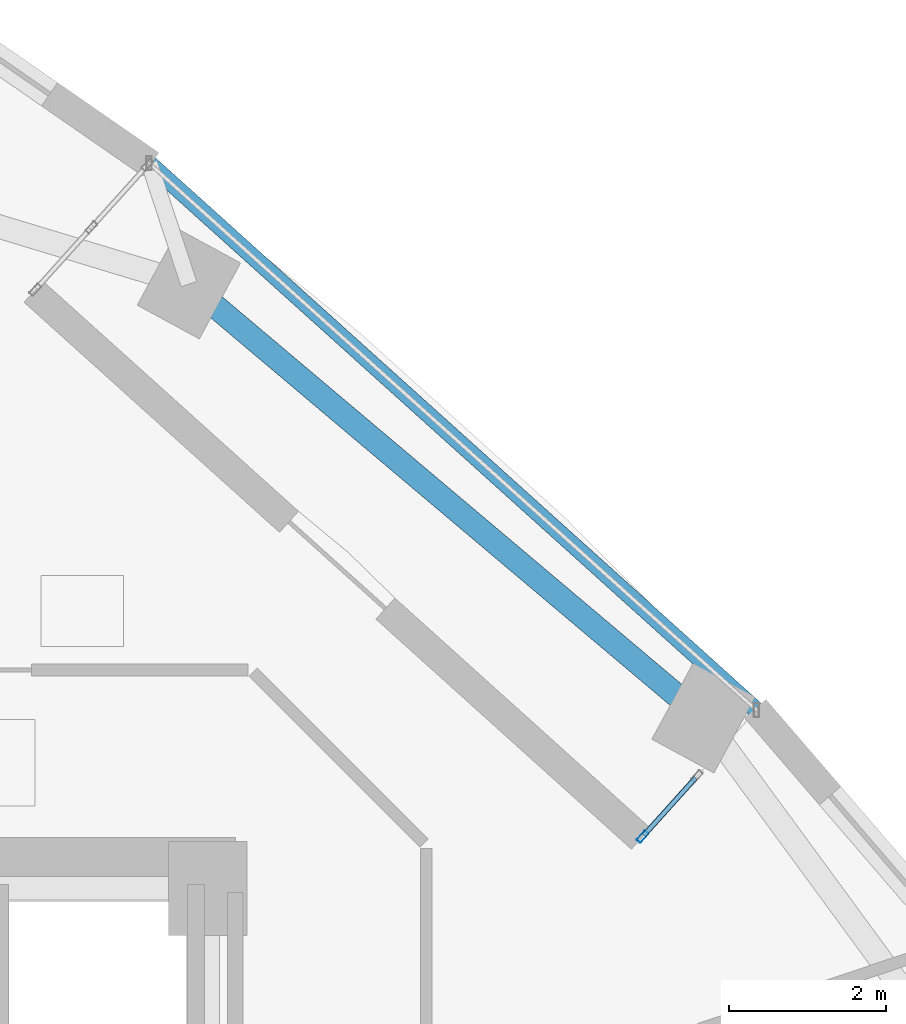
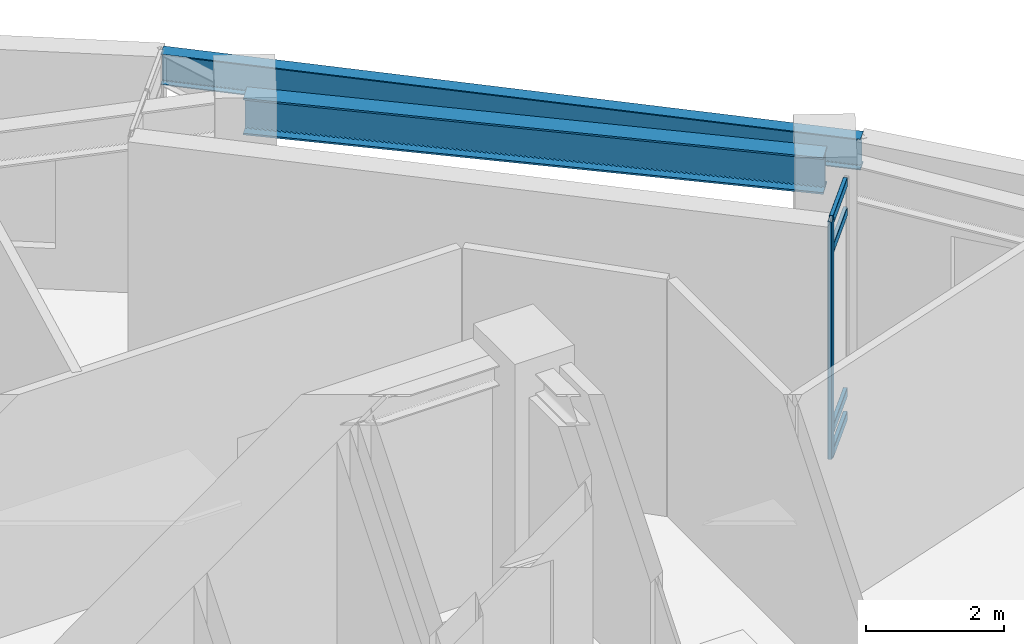
# One storey, part 6 of 19: 5 members, 2 beams, 1 element without a shape of its own.
"""IFC4 building model written with IfcOpenShell, lengths in metres."""

import ifcopenshell
import ifcopenshell.guid

model = None  # the IFC model being written
_history = None  # IfcOwnerHistory: only IFC2X3 demands one
_inside = {}  # id of a spatial element -> (the spatial element, [elements in it])
_under = {}  # id of a project, library or spatial element -> (it, [spatial elements below it])
_declared = {}  # id of a project -> (the project, [libraries it declares])
_typed = {}  # id of a type object -> (the type object, [elements of that type])
_made_of = {}  # id of a material, layer set ... -> (it, [elements and type objects made of it])


def new_model(schema):
    """Start an empty IFC model of exactly this schema.

    Asked for "IFC4X3", IfcOpenShell would pick the latest addendum, in which some entities
    have other attributes; the version numbers below select the first issue.
    IFC2X3 requires an IfcOwnerHistory on every rooted entity: one is made here for all.
    """
    global model, _history
    if schema == "IFC4X3":
        model = ifcopenshell.file(schema_version=(4, 3, 0, 0))
    else:
        model = ifcopenshell.file(schema=schema)
    _inside.clear()
    _under.clear()
    _declared.clear()
    _typed.clear()
    _made_of.clear()
    _history = None
    if model.schema == "IFC2X3":
        org = make("IfcOrganization", Name="unknown")
        user = make(
            "IfcPersonAndOrganization",
            ThePerson=make("IfcPerson", FamilyName="unknown"),
            TheOrganization=org,
        )
        app = make(
            "IfcApplication",
            ApplicationDeveloper=org,
            Version="unknown",
            ApplicationFullName="unknown",
            ApplicationIdentifier="unknown",
        )
        _history = make(
            "IfcOwnerHistory",
            OwningUser=user,
            OwningApplication=app,
            ChangeAction="ADDED",
            CreationDate=0,
        )
    return model


def make(cls, **values):
    """One entity of the class cls with the attributes given. An attribute that is None is left unset."""
    return model.create_entity(
        cls, **{name: value for name, value in values.items() if value is not None}
    )


def rooted(cls, **values):
    """An entity with a GlobalId (a new one), such as an element, a storey or a relation."""
    return make(cls, GlobalId=ifcopenshell.guid.new(), OwnerHistory=_history, **values)


def si_unit(unit_type, name, prefix=None):
    """IfcSIUnit, for example si_unit("LENGTHUNIT", "METRE", prefix="MILLI")."""
    return make("IfcSIUnit", UnitType=unit_type, Prefix=prefix, Name=name)


def assignment(units):
    """IfcUnitAssignment: the units of a project."""
    return None if units is None else make("IfcUnitAssignment", Units=units)


def point(xyz):
    """IfcCartesianPoint."""
    return None if xyz is None else make("IfcCartesianPoint", Coordinates=xyz)


def direction(xyz):
    """IfcDirection."""
    return None if xyz is None else make("IfcDirection", DirectionRatios=xyz)


def frame(location, z_axis=None, x_axis=None):
    """IfcAxis2Placement3D, a coordinate frame: its origin and axes. An axis left out is left unset."""
    return make(
        "IfcAxis2Placement3D",
        Location=point(location),
        Axis=direction(z_axis),
        RefDirection=direction(x_axis),
    )


def frame_2d(location, x_axis=None):
    """IfcAxis2Placement2D, a coordinate frame in the plane: its origin and x axis."""
    return make(
        "IfcAxis2Placement2D", Location=point(location), RefDirection=direction(x_axis)
    )


def origin():
    """The frame at (0, 0, 0) with its axes left unset."""
    return frame((0.0, 0.0, 0.0))


def origin_2d():
    """The frame at (0, 0) in the plane with its x axis left unset."""
    return frame_2d((0.0, 0.0))


def place(relative_to, where):
    """IfcLocalPlacement: puts the frame where relative to a parent placement (None: the world)."""
    return make(
        "IfcLocalPlacement", PlacementRelTo=relative_to, RelativePlacement=where
    )


def context(
    kind, dimensions, precision=None, world=None, true_north=None, identifier=None
):
    """IfcGeometricRepresentationContext, for example the 3D "Model" context."""
    return make(
        "IfcGeometricRepresentationContext",
        ContextIdentifier=identifier,
        ContextType=kind,
        CoordinateSpaceDimension=dimensions,
        Precision=precision,
        WorldCoordinateSystem=world,
        TrueNorth=true_north,
    )


def subcontext(parent, identifier, kind, view, scale=None):
    """IfcGeometricRepresentationSubContext, for example "Body" below "Model"."""
    return make(
        "IfcGeometricRepresentationSubContext",
        ContextIdentifier=identifier,
        ContextType=kind,
        ParentContext=parent,
        TargetScale=scale,
        TargetView=view,
    )


def project(units=None, contexts=None):
    """IfcProject with its units and contexts."""
    return rooted(
        "IfcProject",
        Name="project",
        RepresentationContexts=contexts,
        UnitsInContext=assignment(units),
    )


def spatial(cls, under=None, at=None, **own):
    """A site, building, storey or space (cls), placed at a placement, below another one or the project."""
    s = rooted(cls, ObjectPlacement=at, **own)
    if under is not None:
        _under.setdefault(under.id(), (under, []))[1].append(s)
    return s


def profile(cls, at=None, kind="AREA", **sizes):
    """A parametric profile (cls). Its sizes go by their IFC names, for example OverallWidth=200.0."""
    return make(cls, ProfileType=kind, Position=at, **sizes)


def hollow_rectangle(**sizes):
    """IfcRectangleHollowProfileDef."""
    return profile("IfcRectangleHollowProfileDef", **sizes)


def i_section(**sizes):
    """IfcIShapeProfileDef."""
    return profile("IfcIShapeProfileDef", **sizes)


def extrude(swept, where, along, depth):
    """IfcExtrudedAreaSolid: the profile swept, set in the frame where, extruded along a direction by depth."""
    return make(
        "IfcExtrudedAreaSolid",
        SweptArea=swept,
        Position=where,
        ExtrudedDirection=direction(along),
        Depth=depth,
    )


def shape(context_of_items, identifier, shape_type, items):
    """IfcShapeRepresentation: the items that make up one representation, for example the "Body"."""
    return make(
        "IfcShapeRepresentation",
        ContextOfItems=context_of_items,
        RepresentationIdentifier=identifier,
        RepresentationType=shape_type,
        Items=items,
    )


def material(Name=None, Category=None):
    """IfcMaterial."""
    return make("IfcMaterial", Name=Name, Category=Category)


def layer(
    of_material, thickness, ventilated=None, Name=None, Category=None, Priority=None
):
    """IfcMaterialLayer: one layer of a wall or slab, of a material (None: an air gap)."""
    return make(
        "IfcMaterialLayer",
        Material=of_material,
        LayerThickness=thickness,
        IsVentilated=ventilated,
        Name=Name,
        Category=Category,
        Priority=Priority,
    )


def layer_set(layers, Name=None):
    """IfcMaterialLayerSet."""
    return make("IfcMaterialLayerSet", MaterialLayers=layers, LayerSetName=Name)


def material_profile(
    of_material, cross_section, Name=None, Category=None, Priority=None
):
    """IfcMaterialProfile: a cross section and its material."""
    return make(
        "IfcMaterialProfile",
        Name=Name,
        Material=of_material,
        Profile=cross_section,
        Priority=Priority,
        Category=Category,
    )


def profile_set(profiles, Name=None, composite=None):
    """IfcMaterialProfileSet."""
    return make(
        "IfcMaterialProfileSet",
        Name=Name,
        MaterialProfiles=profiles,
        CompositeProfile=composite,
    )


def made_of(thing, what):
    """Note that an element or type object is made of a material, layer set ...; save() writes the relation."""
    if what is not None:
        _made_of.setdefault(what.id(), (what, []))[1].append(thing)
    return thing


def type_object(cls, material=None, **own):
    """A type object (cls), such as IfcWallType, which elements share."""
    return made_of(rooted(cls, **own), material)


def element(
    cls,
    number,
    at=None,
    inside=None,
    cuts=None,
    type_object=None,
    material=None,
    context=None,
    identifier="Body",
    shape_type=None,
    held_by="IfcProductDefinitionShape",
    body=None,
    shapes=None,
    **own,
):
    """One element of the class cls, such as IfcWall. Its Tag is "e" and its number.

    at: its placement. inside: the storey or other place that contains it. cuts: it is an
    opening in that element (IfcRelVoidsElement). A single representation is given by context,
    identifier, shape_type and body (its items); several are given by shapes. held_by: the class
    of the entity that holds the representations. save() writes the other relations.
    """
    e = rooted(cls, Tag="e%d" % number, ObjectPlacement=at, **own)
    if body is not None:
        shapes = [shape(context, identifier, shape_type, body)]
    if shapes is not None:
        e.Representation = make(held_by, Representations=shapes)
    if inside is not None:
        _inside.setdefault(inside.id(), (inside, []))[1].append(e)
    if cuts is not None:
        rooted(
            "IfcRelVoidsElement", RelatingBuildingElement=cuts, RelatedOpeningElement=e
        )
    if type_object is not None:
        _typed.setdefault(type_object.id(), (type_object, []))[1].append(e)
    return made_of(e, material)


def aggregate(whole, parts):
    """IfcRelAggregates: a whole, such as a stair, and the parts it consists of."""
    return rooted("IfcRelAggregates", RelatingObject=whole, RelatedObjects=parts)


def save(model, path):
    """Write the relations noted so far, then the file.

    IfcRelAggregates (storeys below a building ...), IfcRelContainedInSpatialStructure (elements
    in a storey), IfcRelDefinesByType, IfcRelAssociatesMaterial and IfcRelDeclares: one each for
    every whole, place, type object, material and project.
    """
    for whole, parts in _under.values():
        aggregate(whole, parts)
    for where, things in _inside.values():
        rooted(
            "IfcRelContainedInSpatialStructure",
            RelatedElements=things,
            RelatingStructure=where,
        )
    for kind, things in _typed.values():
        rooted("IfcRelDefinesByType", RelatedObjects=things, RelatingType=kind)
    for what, things in _made_of.values():
        rooted("IfcRelAssociatesMaterial", RelatedObjects=things, RelatingMaterial=what)
    for by, libraries in _declared.values():
        rooted("IfcRelDeclares", RelatingContext=by, RelatedDefinitions=libraries)
    model.write(path)


model = new_model("IFC4")

# Units and contexts
model_context = context("Model", 3, precision=1e-05, world=origin(), true_north=direction((0.0, 1.0)))
body_context = subcontext(model_context, "Body", "Model", "MODEL_VIEW")
ifc_project = project(units=[si_unit("LENGTHUNIT", "METRE"), si_unit("AREAUNIT", "SQUARE_METRE"), si_unit("VOLUMEUNIT", "CUBIC_METRE"), si_unit("PLANEANGLEUNIT", "RADIAN"), si_unit("MASSUNIT", "GRAM", prefix="KILO")], contexts=[model_context])

# Site, building, storey
site_placement = place(None, origin())
site = spatial("IfcSite", under=ifc_project, at=site_placement, CompositionType="ELEMENT")
building_placement = place(site_placement, origin())
building = spatial("IfcBuilding", under=site, at=building_placement, Name="Ndelora Gate Hotel", CompositionType="ELEMENT")
storey_placement = place(building_placement, frame((0.0, 0.0, 88.25)))
storey = spatial("IfcBuildingStorey", under=building, at=storey_placement, Name="L21", CompositionType="ELEMENT", Elevation=88.25)

# Beams
ifc_material_1 = material(Name="Steel S355", Category="steel")
ifc_material_profile_1 = material_profile(ifc_material_1, i_section(OverallWidth=0.2099609375, OverallDepth=0.550048828125, WebThickness=0.010986328125, FlangeThickness=0.01708984375, FilletRadius=0.02392578125, at=origin_2d()), Name="IPE 550")
ifc_profile_set_1 = profile_set([ifc_material_profile_1], Name="Steel S355")
beam_type_1 = type_object("IfcBeamType", Name="BM-RAD-550", PredefinedType="BEAM", material=ifc_profile_set_1)
beam_1_placement = place(storey_placement, frame((14.982421875, 8.868408203125, 3.93505859375), z_axis=(-0.743145885754, 0.6691294288, 0.0), x_axis=(-0.6691294288, -0.743145885754, 0.0)))
element("IfcBeam", 1, at=beam_1_placement, inside=storey, type_object=beam_type_1, Name="L21 Sky-Garden Weather Canopy Edge Beam", PredefinedType="BEAM", context=body_context, shape_type="SweptSolid", body=[
    extrude(i_section(OverallWidth=0.2099609375, OverallDepth=0.550048828125, WebThickness=0.010986328125, FlangeThickness=0.01708984375, FilletRadius=0.02392578125, at=origin_2d()), origin(), (0.0, 0.0, 1.0), 10.400146484375),
])
ifc_material_profile_2 = material_profile(ifc_material_1, i_section(OverallWidth=0.300048828125, OverallDepth=0.64990234375, WebThickness=0.01611328125, FlangeThickness=0.031005859375, FilletRadius=0.027099609375, at=origin_2d()), Name="HEB 650")
ifc_profile_set_2 = profile_set([ifc_material_profile_2], Name="Steel S355")
beam_type_2 = type_object("IfcBeamType", Name="BM-RING-650", PredefinedType="SPANDREL", material=ifc_profile_set_2)
beam_2_placement = place(storey_placement, frame((14.30712890625, 8.767333984375, 3.885009765625), z_axis=(-0.76440691948, 0.644734101356, 0.0), x_axis=(-0.644734101356, -0.76440691948, 0.0)))
element("IfcBeam", 2, at=beam_2_placement, inside=storey, type_object=beam_type_2, Name="L21 Perimeter Spandrel Girder 10", PredefinedType="SPANDREL", context=body_context, shape_type="SweptSolid", body=[
    extrude(i_section(OverallWidth=0.300048828125, OverallDepth=0.64990234375, WebThickness=0.01611328125, FlangeThickness=0.031005859375, FilletRadius=0.027099609375, at=origin_2d()), origin(), (0.0, 0.0, 1.0), 8.566162109375),
])

# Curtain wall, members
ifc_material_2 = material(Name="Bronze Anodised Unitised Aluminium and Low-E Glass", Category="aluminium")
ifc_layer = layer(ifc_material_2, 0.199951171875)
ifc_layer_set = layer_set([ifc_layer], Name="Bronze Anodised Unitised Aluminium and Low-E Glass")
curtain_wall_type = type_object("IfcCurtainWallType", Name="CW-SYS-3", PredefinedType="NOTDEFINED", material=ifc_layer_set)
curtain_wall_placement = place(storey_placement, origin())
curtain_wall = element("IfcCurtainWall", 3, at=curtain_wall_placement, inside=storey, type_object=curtain_wall_type, Name="L21 Sky-Garden Loggia Side Curtain Wall CW3-1", PredefinedType="NOTDEFINED")
ifc_material_3 = material(Name="Bronze Anodised Aluminium 6063-T6", Category="aluminium")
ifc_material_profile_3 = material_profile(ifc_material_3, hollow_rectangle(XDim=0.06494140625, YDim=0.159912109375, WallThickness=0.00390625, InnerFilletRadius=0.00390625, OuterFilletRadius=0.008056640625, at=origin_2d()), Name="ALU 160x65x4")
ifc_profile_set_3 = profile_set([ifc_material_profile_3], Name="Bronze Anodised Aluminium 6063-T6")
member_type_1 = type_object("IfcMemberType", Name="MB-CW-MUL150", PredefinedType="MULLION", material=ifc_profile_set_3)
member_1_placement = place(storey_placement, frame((13.531982421875, 7.257568359375, -0.00390625), z_axis=(0.0, 0.0, 1.0), x_axis=(-0.74315844199, 0.66911548338, 0.0)))
member_1 = element("IfcMember", 4, at=member_1_placement, type_object=member_type_1, Name="CW3 mullion 1", PredefinedType="MULLION", context=body_context, shape_type="SweptSolid", body=[
    extrude(hollow_rectangle(XDim=0.06494140625, YDim=0.159912109375, WallThickness=0.00390625, InnerFilletRadius=0.00390625, OuterFilletRadius=0.008056640625, at=origin_2d()), origin(), (0.0, 0.0, 1.0), 4.218017578125),
])
ifc_material_profile_4 = material_profile(ifc_material_3, hollow_rectangle(XDim=0.06494140625, YDim=0.159912109375, WallThickness=0.00390625, InnerFilletRadius=0.00390625, OuterFilletRadius=0.008056640625, at=origin_2d()), Name="ALU 160x65x4")
ifc_profile_set_4 = profile_set([ifc_material_profile_4], Name="Bronze Anodised Aluminium 6063-T6")
member_type_2 = type_object("IfcMemberType", Name="MB-CW-TRN150", PredefinedType="USERDEFINED", material=ifc_profile_set_4)
member_2_placement = place(storey_placement, frame((13.5498046875, 7.27734375, 0.032470703125), z_axis=(0.669198352414, 0.743083821063, 0.0), x_axis=(-0.743083821063, 0.669198352414, 0.0)))
member_2 = element("IfcMember", 5, at=member_2_placement, type_object=member_type_2, Name="CW3 transom 1.1", ObjectType="TRANSOM", PredefinedType="USERDEFINED", context=body_context, shape_type="SweptSolid", body=[
    extrude(hollow_rectangle(XDim=0.06494140625, YDim=0.159912109375, WallThickness=0.00390625, InnerFilletRadius=0.00390625, OuterFilletRadius=0.008056640625, at=origin_2d()), origin(), (0.0, 0.0, 1.0), 0.9814453125),
])
member_3_placement = place(storey_placement, frame((13.5498046875, 7.27734375, 0.449951171875), z_axis=(0.669198352414, 0.743083821063, 0.0), x_axis=(-0.743083821063, 0.669198352414, 0.0)))
member_3 = element("IfcMember", 6, at=member_3_placement, type_object=member_type_2, Name="CW3 transom 1.2", ObjectType="TRANSOM", PredefinedType="USERDEFINED", context=body_context, shape_type="SweptSolid", body=[
    extrude(hollow_rectangle(XDim=0.06494140625, YDim=0.159912109375, WallThickness=0.00390625, InnerFilletRadius=0.00390625, OuterFilletRadius=0.008056640625, at=origin_2d()), origin(), (0.0, 0.0, 1.0), 0.9814453125),
])
member_4_placement = place(storey_placement, frame((13.5498046875, 7.27734375, 3.659912109375), z_axis=(0.669198352414, 0.743083821063, 0.0), x_axis=(-0.743083821063, 0.669198352414, 0.0)))
member_4 = element("IfcMember", 7, at=member_4_placement, type_object=member_type_2, Name="CW3 transom 1.3", ObjectType="TRANSOM", PredefinedType="USERDEFINED", context=body_context, shape_type="SweptSolid", body=[
    extrude(hollow_rectangle(XDim=0.06494140625, YDim=0.159912109375, WallThickness=0.00390625, InnerFilletRadius=0.00390625, OuterFilletRadius=0.008056640625, at=origin_2d()), origin(), (0.0, 0.0, 1.0), 0.9814453125),
])
member_5_placement = place(storey_placement, frame((13.5498046875, 7.27734375, 4.177490234375), z_axis=(0.669198352414, 0.743083821063, 0.0), x_axis=(-0.743083821063, 0.669198352414, 0.0)))
member_5 = element("IfcMember", 8, at=member_5_placement, type_object=member_type_2, Name="CW3 transom 1.4", ObjectType="TRANSOM", PredefinedType="USERDEFINED", context=body_context, shape_type="SweptSolid", body=[
    extrude(hollow_rectangle(XDim=0.06494140625, YDim=0.159912109375, WallThickness=0.00390625, InnerFilletRadius=0.00390625, OuterFilletRadius=0.008056640625, at=origin_2d()), origin(), (0.0, 0.0, 1.0), 0.9814453125),
])
aggregate(curtain_wall, [member_1, member_2, member_3, member_4, member_5])

save(model, "model.ifc")
